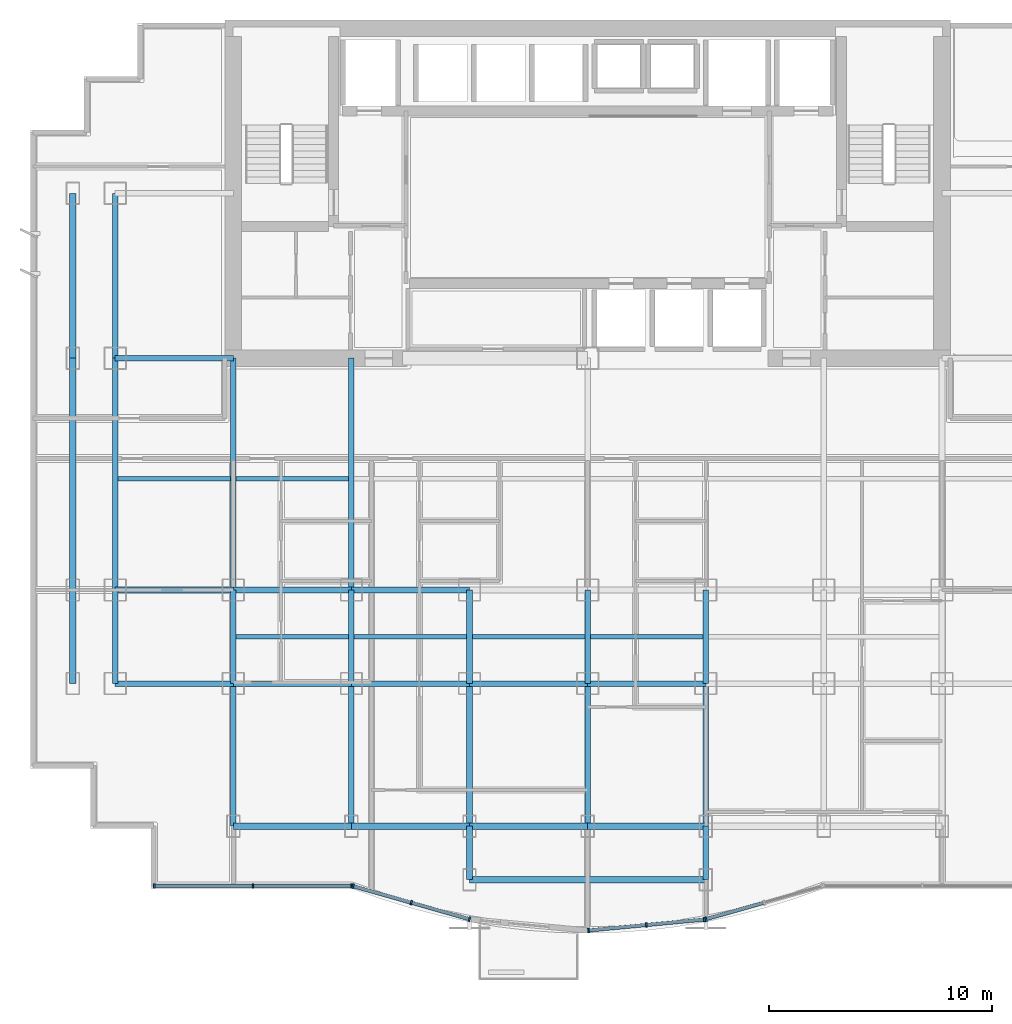
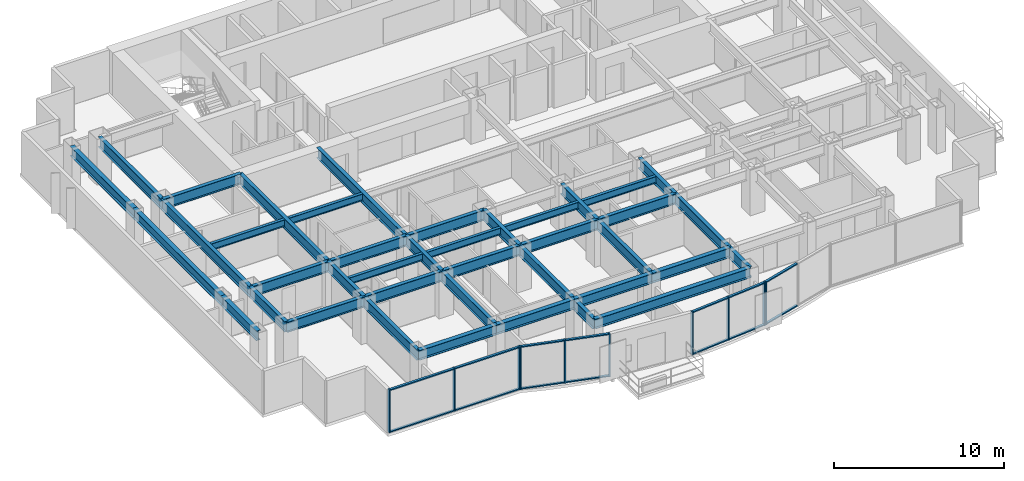
# One storey, part 2 of 10: 40 beams, 24 members, 4 elements without a shape of their own.
"""IFC4 building model written with IfcOpenShell, lengths in metres."""

from ifc_helpers import new_model, si_unit, direction, frame, origin, origin_2d, place, context, subcontext, project, spatial, rectangle, i_section, extrude, source, transform, mapped, material, layer, layer_set, material_profile, profile_set, type_object, element, aggregate, save


model = new_model("IFC4")

# Units and contexts
model_context = context("Model", 3, precision=1e-05, world=origin(), true_north=direction((0.0, 1.0)))
body_context = subcontext(model_context, "Body", "Model", "MODEL_VIEW")
ifc_project = project(units=[si_unit("LENGTHUNIT", "METRE"), si_unit("AREAUNIT", "SQUARE_METRE"), si_unit("VOLUMEUNIT", "CUBIC_METRE"), si_unit("PLANEANGLEUNIT", "RADIAN"), si_unit("MASSUNIT", "GRAM", prefix="KILO")], contexts=[model_context])

# Site, building, storey
site_placement = place(None, origin())
site = spatial("IfcSite", under=ifc_project, at=site_placement, CompositionType="ELEMENT")
building_placement = place(site_placement, origin())
building = spatial("IfcBuilding", under=site, at=building_placement, Name="Qianlan Lanfeng Residences", CompositionType="ELEMENT")
storey_placement = place(building_placement, frame((0.0, 0.0, 88.300048828125)))
storey = spatial("IfcBuildingStorey", under=building, at=storey_placement, Name="L23", CompositionType="ELEMENT", Elevation=88.300048828125)

# Beams
ifc_material_1 = material(Name="Steel SN490B", Category="steel")
ifc_material_profile_1 = material_profile(ifc_material_1, i_section(OverallWidth=0.25, OverallDepth=0.75, WebThickness=0.013916015625, FlangeThickness=0.02490234375, at=origin_2d()), Name="H 750x250x14x25")
ifc_profile_set_1 = profile_set([ifc_material_profile_1], Name="Steel SN490B")
beam_type_1 = type_object("IfcBeamType", Name="G-850", PredefinedType="BEAM", material=ifc_profile_set_1)
beam_1_placement = place(storey_placement, frame((5.300048828125, 10.60009765625, 2.71484375), z_axis=(1.0, 0.0, 0.0), x_axis=(0.0, 1.0, 0.0)))
element("IfcBeam", 1, at=beam_1_placement, inside=storey, type_object=beam_type_1, Name="Structural beam G-850", PredefinedType="BEAM", context=body_context, shape_type="SweptSolid", body=[
    extrude(i_section(OverallWidth=0.25, OverallDepth=0.75, WebThickness=0.013916015625, FlangeThickness=0.02490234375, at=origin_2d()), origin(), (0.0, 0.0, 1.0), 5.300048828125),
])
beam_2_placement = place(storey_placement, frame((10.60009765625, 10.60009765625, 2.71484375), z_axis=(1.0, 0.0, 0.0), x_axis=(0.0, 1.0, 0.0)))
element("IfcBeam", 2, at=beam_2_placement, inside=storey, type_object=beam_type_1, Name="Structural beam G-850", PredefinedType="BEAM", context=body_context, shape_type="SweptSolid", body=[
    extrude(i_section(OverallWidth=0.25, OverallDepth=0.75, WebThickness=0.013916015625, FlangeThickness=0.02490234375, at=origin_2d()), origin(), (0.0, 0.0, 1.0), 5.2998046875),
])
for number, where, z_axis, x_axis, name in (
    (3, (15.89990234375, 10.60009765625, 2.71484375), (1.0, 0.0, 0.0), (0.0, 1.0, 0.0), "Structural beam G-850"),
    (4, (21.199951171875, 10.60009765625, 2.71484375), (1.0, 0.0, 0.0), (0.0, 1.0, 0.0), "Structural beam G-850"),
    (5, (26.5, 10.60009765625, 2.71484375), (1.0, 0.0, 0.0), (0.0, 1.0, 0.0), "Structural beam G-850"),
    (6, (5.300048828125, 14.800048828125, 2.71484375), (1.0, 0.0, 0.0), (0.0, 1.0, 0.0), "Structural beam G-850"),
):
    element("IfcBeam", number, at=place(storey_placement, frame(where, z_axis=z_axis, x_axis=x_axis)), inside=storey, type_object=beam_type_1, Name=name, PredefinedType="BEAM", context=body_context, shape_type="SweptSolid", body=[
        extrude(i_section(OverallWidth=0.25, OverallDepth=0.75, WebThickness=0.013916015625, FlangeThickness=0.02490234375, at=origin_2d()), origin(), (0.0, 0.0, 1.0), 5.300048828125),
    ])
beam_3_placement = place(storey_placement, frame((10.60009765625, 14.800048828125, 2.71484375), z_axis=(1.0, 0.0, 0.0), x_axis=(0.0, 1.0, 0.0)))
element("IfcBeam", 7, at=beam_3_placement, inside=storey, type_object=beam_type_1, Name="Structural beam G-850", PredefinedType="BEAM", context=body_context, shape_type="SweptSolid", body=[
    extrude(i_section(OverallWidth=0.25, OverallDepth=0.75, WebThickness=0.013916015625, FlangeThickness=0.02490234375, at=origin_2d()), origin(), (0.0, 0.0, 1.0), 5.2998046875),
])
for number, where, z_axis, x_axis, name in (
    (8, (15.89990234375, 14.800048828125, 2.71484375), (1.0, 0.0, 0.0), (0.0, 1.0, 0.0), "Structural beam G-850"),
    (9, (5.300048828125, 25.199951171875, 2.71484375), (1.0, 0.0, 0.0), (0.0, 1.0, 0.0), "Structural beam G-850"),
):
    element("IfcBeam", number, at=place(storey_placement, frame(where, z_axis=z_axis, x_axis=x_axis)), inside=storey, type_object=beam_type_1, Name=name, PredefinedType="BEAM", context=body_context, shape_type="SweptSolid", body=[
        extrude(i_section(OverallWidth=0.25, OverallDepth=0.75, WebThickness=0.013916015625, FlangeThickness=0.02490234375, at=origin_2d()), origin(), (0.0, 0.0, 1.0), 5.300048828125),
    ])
beam_4_placement = place(storey_placement, frame((5.300048828125, 10.60009765625, 2.71484375), z_axis=(0.0, 1.0, 0.0), x_axis=(-1.0, 0.0, 0.0)))
element("IfcBeam", 10, at=beam_4_placement, inside=storey, type_object=beam_type_1, Name="Structural beam G-850", PredefinedType="BEAM", context=body_context, shape_type="SweptSolid", body=[
    extrude(i_section(OverallWidth=0.25, OverallDepth=0.75, WebThickness=0.013916015625, FlangeThickness=0.02490234375, at=origin_2d()), origin(), (0.0, 0.0, 1.0), 4.199951171875),
])
beam_5_placement = place(storey_placement, frame((5.300048828125, 14.800048828125, 2.71484375), z_axis=(0.0, 1.0, 0.0), x_axis=(-1.0, 0.0, 0.0)))
element("IfcBeam", 11, at=beam_5_placement, inside=storey, type_object=beam_type_1, Name="Structural beam G-850", PredefinedType="BEAM", context=body_context, shape_type="SweptSolid", body=[
    extrude(i_section(OverallWidth=0.25, OverallDepth=0.75, WebThickness=0.013916015625, FlangeThickness=0.02490234375, at=origin_2d()), origin(), (0.0, 0.0, 1.0), 10.39990234375),
])
beam_6_placement = place(storey_placement, frame((5.300048828125, 25.199951171875, 2.71484375), z_axis=(0.0, 1.0, 0.0), x_axis=(-1.0, 0.0, 0.0)))
element("IfcBeam", 12, at=beam_6_placement, inside=storey, type_object=beam_type_1, Name="Structural beam G-850", PredefinedType="BEAM", context=body_context, shape_type="SweptSolid", body=[
    extrude(i_section(OverallWidth=0.25, OverallDepth=0.75, WebThickness=0.013916015625, FlangeThickness=0.02490234375, at=origin_2d()), origin(), (0.0, 0.0, 1.0), 7.400146484375),
])
beam_7_placement = place(storey_placement, frame((10.60009765625, 4.199951171875, 2.71484375), z_axis=(0.0, 1.0, 0.0), x_axis=(-1.0, 0.0, 0.0)))
element("IfcBeam", 13, at=beam_7_placement, inside=storey, type_object=beam_type_1, Name="Structural beam G-850", PredefinedType="BEAM", context=body_context, shape_type="SweptSolid", body=[
    extrude(i_section(OverallWidth=0.25, OverallDepth=0.75, WebThickness=0.013916015625, FlangeThickness=0.02490234375, at=origin_2d()), origin(), (0.0, 0.0, 1.0), 6.400146484375),
])
beam_8_placement = place(storey_placement, frame((10.60009765625, 10.60009765625, 2.71484375), z_axis=(0.0, 1.0, 0.0), x_axis=(-1.0, 0.0, 0.0)))
element("IfcBeam", 14, at=beam_8_placement, inside=storey, type_object=beam_type_1, Name="Structural beam G-850", PredefinedType="BEAM", context=body_context, shape_type="SweptSolid", body=[
    extrude(i_section(OverallWidth=0.25, OverallDepth=0.75, WebThickness=0.013916015625, FlangeThickness=0.02490234375, at=origin_2d()), origin(), (0.0, 0.0, 1.0), 4.199951171875),
])
beam_9_placement = place(storey_placement, frame((10.60009765625, 14.800048828125, 2.71484375), z_axis=(0.0, 1.0, 0.0), x_axis=(-1.0, 0.0, 0.0)))
element("IfcBeam", 15, at=beam_9_placement, inside=storey, type_object=beam_type_1, Name="Structural beam G-850", PredefinedType="BEAM", context=body_context, shape_type="SweptSolid", body=[
    extrude(i_section(OverallWidth=0.25, OverallDepth=0.75, WebThickness=0.013916015625, FlangeThickness=0.02490234375, at=origin_2d()), origin(), (0.0, 0.0, 1.0), 10.39990234375),
])
beam_10_placement = place(storey_placement, frame((15.89990234375, 4.199951171875, 2.71484375), z_axis=(0.0, 1.0, 0.0), x_axis=(-1.0, 0.0, 0.0)))
element("IfcBeam", 16, at=beam_10_placement, inside=storey, type_object=beam_type_1, Name="Structural beam G-850", PredefinedType="BEAM", context=body_context, shape_type="SweptSolid", body=[
    extrude(i_section(OverallWidth=0.25, OverallDepth=0.75, WebThickness=0.013916015625, FlangeThickness=0.02490234375, at=origin_2d()), origin(), (0.0, 0.0, 1.0), 6.400146484375),
])
beam_11_placement = place(storey_placement, frame((15.89990234375, 10.60009765625, 2.71484375), z_axis=(0.0, 1.0, 0.0), x_axis=(-1.0, 0.0, 0.0)))
element("IfcBeam", 17, at=beam_11_placement, inside=storey, type_object=beam_type_1, Name="Structural beam G-850", PredefinedType="BEAM", context=body_context, shape_type="SweptSolid", body=[
    extrude(i_section(OverallWidth=0.25, OverallDepth=0.75, WebThickness=0.013916015625, FlangeThickness=0.02490234375, at=origin_2d()), origin(), (0.0, 0.0, 1.0), 4.199951171875),
])
beam_12_placement = place(storey_placement, frame((15.89990234375, 14.800048828125, 2.71484375), z_axis=(0.0, 1.0, 0.0), x_axis=(-1.0, 0.0, 0.0)))
element("IfcBeam", 18, at=beam_12_placement, inside=storey, type_object=beam_type_1, Name="Structural beam G-850", PredefinedType="BEAM", context=body_context, shape_type="SweptSolid", body=[
    extrude(i_section(OverallWidth=0.25, OverallDepth=0.75, WebThickness=0.013916015625, FlangeThickness=0.02490234375, at=origin_2d()), origin(), (0.0, 0.0, 1.0), 10.39990234375),
])
beam_13_placement = place(storey_placement, frame((21.199951171875, 1.800048828125, 2.71484375), z_axis=(0.0, 1.0, 0.0), x_axis=(-1.0, 0.0, 0.0)))
element("IfcBeam", 19, at=beam_13_placement, inside=storey, type_object=beam_type_1, Name="Structural beam G-850", PredefinedType="BEAM", context=body_context, shape_type="SweptSolid", body=[
    extrude(i_section(OverallWidth=0.25, OverallDepth=0.75, WebThickness=0.013916015625, FlangeThickness=0.02490234375, at=origin_2d()), origin(), (0.0, 0.0, 1.0), 2.39990234375),
])
beam_14_placement = place(storey_placement, frame((21.199951171875, 4.199951171875, 2.71484375), z_axis=(0.0, 1.0, 0.0), x_axis=(-1.0, 0.0, 0.0)))
element("IfcBeam", 20, at=beam_14_placement, inside=storey, type_object=beam_type_1, Name="Structural beam G-850", PredefinedType="BEAM", context=body_context, shape_type="SweptSolid", body=[
    extrude(i_section(OverallWidth=0.25, OverallDepth=0.75, WebThickness=0.013916015625, FlangeThickness=0.02490234375, at=origin_2d()), origin(), (0.0, 0.0, 1.0), 6.400146484375),
])
beam_15_placement = place(storey_placement, frame((21.199951171875, 10.60009765625, 2.71484375), z_axis=(0.0, 1.0, 0.0), x_axis=(-1.0, 0.0, 0.0)))
element("IfcBeam", 21, at=beam_15_placement, inside=storey, type_object=beam_type_1, Name="Structural beam G-850", PredefinedType="BEAM", context=body_context, shape_type="SweptSolid", body=[
    extrude(i_section(OverallWidth=0.25, OverallDepth=0.75, WebThickness=0.013916015625, FlangeThickness=0.02490234375, at=origin_2d()), origin(), (0.0, 0.0, 1.0), 4.199951171875),
])
beam_16_placement = place(storey_placement, frame((26.5, 4.199951171875, 2.71484375), z_axis=(0.0, 1.0, 0.0), x_axis=(-1.0, 0.0, 0.0)))
element("IfcBeam", 22, at=beam_16_placement, inside=storey, type_object=beam_type_1, Name="Structural beam G-850", PredefinedType="BEAM", context=body_context, shape_type="SweptSolid", body=[
    extrude(i_section(OverallWidth=0.25, OverallDepth=0.75, WebThickness=0.013916015625, FlangeThickness=0.02490234375, at=origin_2d()), origin(), (0.0, 0.0, 1.0), 6.400146484375),
])
beam_17_placement = place(storey_placement, frame((26.5, 10.60009765625, 2.71484375), z_axis=(0.0, 1.0, 0.0), x_axis=(-1.0, 0.0, 0.0)))
element("IfcBeam", 23, at=beam_17_placement, inside=storey, type_object=beam_type_1, Name="Structural beam G-850", PredefinedType="BEAM", context=body_context, shape_type="SweptSolid", body=[
    extrude(i_section(OverallWidth=0.25, OverallDepth=0.75, WebThickness=0.013916015625, FlangeThickness=0.02490234375, at=origin_2d()), origin(), (0.0, 0.0, 1.0), 4.199951171875),
])
beam_18_placement = place(storey_placement, frame((31.800048828125, 1.800048828125, 2.71484375), z_axis=(0.0, 1.0, 0.0), x_axis=(-1.0, 0.0, 0.0)))
element("IfcBeam", 24, at=beam_18_placement, inside=storey, type_object=beam_type_1, Name="Structural beam G-850", PredefinedType="BEAM", context=body_context, shape_type="SweptSolid", body=[
    extrude(i_section(OverallWidth=0.25, OverallDepth=0.75, WebThickness=0.013916015625, FlangeThickness=0.02490234375, at=origin_2d()), origin(), (0.0, 0.0, 1.0), 2.39990234375),
])
beam_19_placement = place(storey_placement, frame((31.800048828125, 4.199951171875, 2.71484375), z_axis=(0.0, 1.0, 0.0), x_axis=(-1.0, 0.0, 0.0)))
element("IfcBeam", 25, at=beam_19_placement, inside=storey, type_object=beam_type_1, Name="Structural beam G-850", PredefinedType="BEAM", context=body_context, shape_type="SweptSolid", body=[
    extrude(i_section(OverallWidth=0.25, OverallDepth=0.75, WebThickness=0.013916015625, FlangeThickness=0.02490234375, at=origin_2d()), origin(), (0.0, 0.0, 1.0), 6.400146484375),
])
beam_20_placement = place(storey_placement, frame((31.800048828125, 10.60009765625, 2.71484375), z_axis=(0.0, 1.0, 0.0), x_axis=(-1.0, 0.0, 0.0)))
element("IfcBeam", 26, at=beam_20_placement, inside=storey, type_object=beam_type_1, Name="Structural beam G-850", PredefinedType="BEAM", context=body_context, shape_type="SweptSolid", body=[
    extrude(i_section(OverallWidth=0.25, OverallDepth=0.75, WebThickness=0.013916015625, FlangeThickness=0.02490234375, at=origin_2d()), origin(), (0.0, 0.0, 1.0), 4.199951171875),
])
ifc_material_profile_2 = material_profile(ifc_material_1, i_section(OverallWidth=0.199951171875, OverallDepth=0.5, WebThickness=0.010009765625, FlangeThickness=0.01611328125, at=origin_2d()), Name="H 500x200x10x16")
ifc_profile_set_2 = profile_set([ifc_material_profile_2], Name="Steel SN490B")
beam_type_2 = type_object("IfcBeamType", Name="J-500", PredefinedType="JOIST", material=ifc_profile_set_2)
beam_21_placement = place(storey_placement, frame((10.72509765625, 12.699951171875, 2.83984375), z_axis=(1.0, 0.0, 0.0), x_axis=(0.0, 1.0, 0.0)))
element("IfcBeam", 27, at=beam_21_placement, inside=storey, type_object=beam_type_2, Name="Structural beam J-500", PredefinedType="JOIST", context=body_context, shape_type="SweptSolid", body=[
    extrude(i_section(OverallWidth=0.199951171875, OverallDepth=0.5, WebThickness=0.010009765625, FlangeThickness=0.01611328125, at=origin_2d()), origin(), (0.0, 0.0, 1.0), 5.0498046875),
])
for number, where, z_axis, x_axis, name in (
    (28, (16.02490234375, 12.699951171875, 2.83984375), (1.0, 0.0, 0.0), (0.0, 1.0, 0.0), "Structural beam J-500"),
    (29, (21.324951171875, 12.699951171875, 2.83984375), (1.0, 0.0, 0.0), (0.0, 1.0, 0.0), "Structural beam J-500"),
    (30, (26.625, 12.699951171875, 2.83984375), (1.0, 0.0, 0.0), (0.0, 1.0, 0.0), "Structural beam J-500"),
    (31, (5.425048828125, 19.800048828125, 2.83984375), (1.0, 0.0, 0.0), (0.0, 1.0, 0.0), "Structural beam J-500"),
):
    element("IfcBeam", number, at=place(storey_placement, frame(where, z_axis=z_axis, x_axis=x_axis)), inside=storey, type_object=beam_type_2, Name=name, PredefinedType="JOIST", context=body_context, shape_type="SweptSolid", body=[
        extrude(i_section(OverallWidth=0.199951171875, OverallDepth=0.5, WebThickness=0.010009765625, FlangeThickness=0.01611328125, at=origin_2d()), origin(), (0.0, 0.0, 1.0), 5.050048828125),
    ])
beam_22_placement = place(storey_placement, frame((10.72509765625, 19.800048828125, 2.83984375), z_axis=(1.0, 0.0, 0.0), x_axis=(0.0, 1.0, 0.0)))
element("IfcBeam", 32, at=beam_22_placement, inside=storey, type_object=beam_type_2, Name="Structural beam J-500", PredefinedType="JOIST", context=body_context, shape_type="SweptSolid", body=[
    extrude(i_section(OverallWidth=0.199951171875, OverallDepth=0.5, WebThickness=0.010009765625, FlangeThickness=0.01611328125, at=origin_2d()), origin(), (0.0, 0.0, 1.0), 5.0498046875),
])
ifc_material_profile_3 = material_profile(ifc_material_1, i_section(OverallWidth=0.300048828125, OverallDepth=0.699951171875, WebThickness=0.012939453125, FlangeThickness=0.02392578125, at=origin_2d()), Name="H 700x300x13x24")
ifc_profile_set_3 = profile_set([ifc_material_profile_3], Name="Steel SN490B")
beam_type_3 = type_object("IfcBeamType", Name="SG-750", PredefinedType="SPANDREL", material=ifc_profile_set_3)
beam_23_placement = place(storey_placement, frame((21.199951171875, 1.800048828125, 2.739990234375), z_axis=(1.0, 0.0, 0.0), x_axis=(0.0, 1.0, 0.0)))
element("IfcBeam", 33, at=beam_23_placement, inside=storey, type_object=beam_type_3, Name="Structural beam SG-750", PredefinedType="SPANDREL", context=body_context, shape_type="SweptSolid", body=[
    extrude(i_section(OverallWidth=0.300048828125, OverallDepth=0.699951171875, WebThickness=0.012939453125, FlangeThickness=0.02392578125, at=origin_2d()), origin(), (0.0, 0.0, 1.0), 10.60009765625),
])
beam_24_placement = place(storey_placement, frame((10.60009765625, 4.199951171875, 2.739990234375), z_axis=(1.0, 0.0, 0.0), x_axis=(0.0, 1.0, 0.0)))
element("IfcBeam", 34, at=beam_24_placement, inside=storey, type_object=beam_type_3, Name="Structural beam SG-750", PredefinedType="SPANDREL", context=body_context, shape_type="SweptSolid", body=[
    extrude(i_section(OverallWidth=0.300048828125, OverallDepth=0.699951171875, WebThickness=0.012939453125, FlangeThickness=0.02392578125, at=origin_2d()), origin(), (0.0, 0.0, 1.0), 5.2998046875),
])
for number, where, z_axis, x_axis, name in (
    (35, (15.89990234375, 4.199951171875, 2.739990234375), (1.0, 0.0, 0.0), (0.0, 1.0, 0.0), "Structural beam SG-750"),
    (36, (21.199951171875, 4.199951171875, 2.739990234375), (1.0, 0.0, 0.0), (0.0, 1.0, 0.0), "Structural beam SG-750"),
    (37, (26.5, 4.199951171875, 2.739990234375), (1.0, 0.0, 0.0), (0.0, 1.0, 0.0), "Structural beam SG-750"),
):
    element("IfcBeam", number, at=place(storey_placement, frame(where, z_axis=z_axis, x_axis=x_axis)), inside=storey, type_object=beam_type_3, Name=name, PredefinedType="SPANDREL", context=body_context, shape_type="SweptSolid", body=[
        extrude(i_section(OverallWidth=0.300048828125, OverallDepth=0.699951171875, WebThickness=0.012939453125, FlangeThickness=0.02392578125, at=origin_2d()), origin(), (0.0, 0.0, 1.0), 5.300048828125),
    ])
beam_25_placement = place(storey_placement, frame((3.39990234375, 10.60009765625, 2.739990234375), z_axis=(0.0, 1.0, 0.0), x_axis=(-1.0, 0.0, 0.0)))
element("IfcBeam", 38, at=beam_25_placement, inside=storey, type_object=beam_type_3, Name="Structural beam SG-750", PredefinedType="SPANDREL", context=body_context, shape_type="SweptSolid", body=[
    extrude(i_section(OverallWidth=0.300048828125, OverallDepth=0.699951171875, WebThickness=0.012939453125, FlangeThickness=0.02392578125, at=origin_2d()), origin(), (0.0, 0.0, 1.0), 4.199951171875),
])
beam_26_placement = place(storey_placement, frame((3.39990234375, 14.800048828125, 2.739990234375), z_axis=(0.0, 1.0, 0.0), x_axis=(-1.0, 0.0, 0.0)))
element("IfcBeam", 39, at=beam_26_placement, inside=storey, type_object=beam_type_3, Name="Structural beam SG-750", PredefinedType="SPANDREL", context=body_context, shape_type="SweptSolid", body=[
    extrude(i_section(OverallWidth=0.300048828125, OverallDepth=0.699951171875, WebThickness=0.012939453125, FlangeThickness=0.02392578125, at=origin_2d()), origin(), (0.0, 0.0, 1.0), 10.39990234375),
])
beam_27_placement = place(storey_placement, frame((3.39990234375, 25.199951171875, 2.739990234375), z_axis=(0.0, 1.0, 0.0), x_axis=(-1.0, 0.0, 0.0)))
element("IfcBeam", 40, at=beam_27_placement, inside=storey, type_object=beam_type_3, Name="Structural beam SG-750", PredefinedType="SPANDREL", context=body_context, shape_type="SweptSolid", body=[
    extrude(i_section(OverallWidth=0.300048828125, OverallDepth=0.699951171875, WebThickness=0.012939453125, FlangeThickness=0.02392578125, at=origin_2d()), origin(), (0.0, 0.0, 1.0), 7.400146484375),
])

# Curtain wall, members
ifc_material_2 = material(Name="Anodised Bronze Aluminium 6063-T6", Category="aluminium")
ifc_layer = layer(ifc_material_2, 0.219970703125)
ifc_layer_set = layer_set([ifc_layer], Name="Anodised Bronze Aluminium 6063-T6")
curtain_wall_type = type_object("IfcCurtainWallType", Name="CW-03", PredefinedType="NOTDEFINED", material=ifc_layer_set)
curtain_wall_1_placement = place(storey_placement, origin())
curtain_wall_1 = element("IfcCurtainWall", 41, at=curtain_wall_1_placement, inside=storey, type_object=curtain_wall_type, Name="L23 Unitised Curtain Wall CWR-L23-01 (CW-03)", PredefinedType="NOTDEFINED")
ifc_material_profile_4 = material_profile(ifc_material_2, rectangle(XDim=0.080078125, YDim=0.159912109375, at=origin_2d()), Name="ALU TRANSOM 80x160")
ifc_profile_set_4 = profile_set([ifc_material_profile_4], Name="Anodised Bronze Aluminium 6063-T6")
member_type_1 = type_object("IfcMemberType", Name="CWT-180", PredefinedType="USERDEFINED", material=ifc_profile_set_4)
shared_shape_1 = source(origin(), body_context, "Body", "SweptSolid", [
    extrude(rectangle(XDim=0.080078125, YDim=0.159912109375, at=origin_2d()), origin(), (0.0, 0.0, 1.0), 4.34033203125),
])
member_1_placement = place(storey_placement, frame((7.10009765625, 1.52001953125, 0.0400390625), z_axis=(1.0, 0.0, 0.0), x_axis=(0.0, 0.0, 1.0)))
member_1 = element("IfcMember", 42, at=member_1_placement, type_object=member_type_1, Name="CWR-L23-01 Transom 1-BOT", ObjectType="TRANSOM", PredefinedType="USERDEFINED", context=body_context, shape_type="MappedRepresentation", body=[
    mapped(shared_shape_1, transform((0.0, 0.0, 0.0), scale=1.0)),
])
member_2_placement = place(storey_placement, frame((7.10009765625, 1.52001953125, 3.050048828125), z_axis=(1.0, 0.0, 0.0), x_axis=(0.0, 0.0, 1.0)))
member_2 = element("IfcMember", 43, at=member_2_placement, type_object=member_type_1, Name="CWR-L23-01 Transom 1-TOP", ObjectType="TRANSOM", PredefinedType="USERDEFINED", context=body_context, shape_type="MappedRepresentation", body=[
    mapped(shared_shape_1, transform((0.0, 0.0, 0.0), scale=1.0)),
])
shared_shape_2 = source(origin(), body_context, "Body", "SweptSolid", [
    extrude(rectangle(XDim=0.080078125, YDim=0.159912109375, at=origin_2d()), origin(), (0.0, 0.0, 1.0), 4.340576171875),
])
member_3_placement = place(storey_placement, frame((11.5205078125, 1.52001953125, 0.0400390625), z_axis=(1.0, 0.0, 0.0), x_axis=(0.0, 0.0, 1.0)))
member_3 = element("IfcMember", 44, at=member_3_placement, type_object=member_type_1, Name="CWR-L23-01 Transom 2-BOT", ObjectType="TRANSOM", PredefinedType="USERDEFINED", context=body_context, shape_type="MappedRepresentation", body=[
    mapped(shared_shape_2, transform((0.0, 0.0, 0.0), scale=1.0)),
])
member_4_placement = place(storey_placement, frame((11.5205078125, 1.52001953125, 3.050048828125), z_axis=(1.0, 0.0, 0.0), x_axis=(0.0, 0.0, 1.0)))
member_4 = element("IfcMember", 45, at=member_4_placement, type_object=member_type_1, Name="CWR-L23-01 Transom 2-TOP", ObjectType="TRANSOM", PredefinedType="USERDEFINED", context=body_context, shape_type="MappedRepresentation", body=[
    mapped(shared_shape_2, transform((0.0, 0.0, 0.0), scale=1.0)),
])

curtain_wall_2_placement = place(storey_placement, origin())
curtain_wall_2 = element("IfcCurtainWall", 46, at=curtain_wall_2_placement, inside=storey, type_object=curtain_wall_type, Name="L23 Unitised Curtain Wall CWR-L23-02 (CW-03)", PredefinedType="NOTDEFINED")
shared_shape_3 = source(origin(), body_context, "Body", "SweptSolid", [
    extrude(rectangle(XDim=0.080078125, YDim=0.159912109375, at=origin_2d()), origin(), (0.0, 0.0, 1.0), 2.630126953125),
])
member_5_placement = place(storey_placement, frame((16.01806640625, 1.498291015625, 0.0400390625), z_axis=(0.961960587005, -0.273188266675, 0.0), x_axis=(0.0, 0.0, 1.0)))
member_5 = element("IfcMember", 47, at=member_5_placement, type_object=member_type_1, Name="CWR-L23-02 Transom 1-BOT", ObjectType="TRANSOM", PredefinedType="USERDEFINED", context=body_context, shape_type="MappedRepresentation", body=[
    mapped(shared_shape_3, transform((0.0, 0.0, 0.0), scale=1.0)),
])
member_6_placement = place(storey_placement, frame((16.01806640625, 1.498291015625, 3.050048828125), z_axis=(0.961960587005, -0.273188266675, 0.0), x_axis=(0.0, 0.0, 1.0)))
member_6 = element("IfcMember", 48, at=member_6_placement, type_object=member_type_1, Name="CWR-L23-02 Transom 1-TOP", ObjectType="TRANSOM", PredefinedType="USERDEFINED", context=body_context, shape_type="MappedRepresentation", body=[
    mapped(shared_shape_3, transform((0.0, 0.0, 0.0), scale=1.0)),
])
member_7_placement = place(storey_placement, frame((18.625, 0.758056640625, 0.0400390625), z_axis=(0.961984978242, -0.273102364758, 0.0), x_axis=(0.0, 0.0, 1.0)))
member_7 = element("IfcMember", 49, at=member_7_placement, type_object=member_type_1, Name="CWR-L23-02 Transom 2-BOT", ObjectType="TRANSOM", PredefinedType="USERDEFINED", context=body_context, shape_type="MappedRepresentation", body=[
    mapped(shared_shape_3, transform((0.0, 0.0, 0.0), scale=1.0)),
])
member_8_placement = place(storey_placement, frame((18.625, 0.758056640625, 3.050048828125), z_axis=(0.961984978242, -0.273102364758, 0.0), x_axis=(0.0, 0.0, 1.0)))
member_8 = element("IfcMember", 50, at=member_8_placement, type_object=member_type_1, Name="CWR-L23-02 Transom 2-TOP", ObjectType="TRANSOM", PredefinedType="USERDEFINED", context=body_context, shape_type="MappedRepresentation", body=[
    mapped(shared_shape_3, transform((0.0, 0.0, 0.0), scale=1.0)),
])

curtain_wall_3_placement = place(storey_placement, origin())
curtain_wall_3 = element("IfcCurtainWall", 51, at=curtain_wall_3_placement, inside=storey, type_object=curtain_wall_type, Name="L23 Unitised Curtain Wall CWR-L23-04 (CW-03)", PredefinedType="NOTDEFINED")
member_9_placement = place(storey_placement, frame((31.844970703125, 0.039794921875, 0.0400390625), z_axis=(0.961984978242, 0.273102364758, 0.0), x_axis=(0.0, 0.0, 1.0)))
member_9 = element("IfcMember", 52, at=member_9_placement, type_object=member_type_1, Name="CWR-L23-04 Transom 1-BOT", ObjectType="TRANSOM", PredefinedType="USERDEFINED", context=body_context, shape_type="MappedRepresentation", body=[
    mapped(shared_shape_3, transform((0.0, 0.0, 0.0), scale=1.0)),
])
member_10_placement = place(storey_placement, frame((31.844970703125, 0.039794921875, 3.050048828125), z_axis=(0.961984978242, 0.273102364758, 0.0), x_axis=(0.0, 0.0, 1.0)))
member_10 = element("IfcMember", 53, at=member_10_placement, type_object=member_type_1, Name="CWR-L23-04 Transom 1-TOP", ObjectType="TRANSOM", PredefinedType="USERDEFINED", context=body_context, shape_type="MappedRepresentation", body=[
    mapped(shared_shape_3, transform((0.0, 0.0, 0.0), scale=1.0)),
])

curtain_wall_4_placement = place(storey_placement, origin())
curtain_wall_4 = element("IfcCurtainWall", 54, at=curtain_wall_4_placement, inside=storey, type_object=curtain_wall_type, Name="L23 Unitised Curtain Wall CWR-L23-03 (CW-03)", PredefinedType="NOTDEFINED")
shared_shape_4 = source(origin(), body_context, "Body", "SweptSolid", [
    extrude(rectangle(XDim=0.080078125, YDim=0.159912109375, at=origin_2d()), origin(), (0.0, 0.0, 1.0), 2.52587890625),
])
member_11_placement = place(storey_placement, frame((29.173828125, -0.227294921875, 0.0400390625), z_axis=(0.995558673677, 0.094143121181, 0.0), x_axis=(0.0, 0.0, 1.0)))
member_11 = element("IfcMember", 55, at=member_11_placement, type_object=member_type_1, Name="CWR-L23-03 Transom 2-BOT", ObjectType="TRANSOM", PredefinedType="USERDEFINED", context=body_context, shape_type="MappedRepresentation", body=[
    mapped(shared_shape_4, transform((0.0, 0.0, 0.0), scale=1.0)),
])
member_12_placement = place(storey_placement, frame((29.173828125, -0.227294921875, 3.050048828125), z_axis=(0.995558673677, 0.094143121181, 0.0), x_axis=(0.0, 0.0, 1.0)))
member_12 = element("IfcMember", 56, at=member_12_placement, type_object=member_type_1, Name="CWR-L23-03 Transom 2-TOP", ObjectType="TRANSOM", PredefinedType="USERDEFINED", context=body_context, shape_type="MappedRepresentation", body=[
    mapped(shared_shape_4, transform((0.0, 0.0, 0.0), scale=1.0)),
])
shared_shape_5 = source(origin(), body_context, "Body", "SweptSolid", [
    extrude(rectangle(XDim=0.080078125, YDim=0.159912109375, at=origin_2d()), origin(), (0.0, 0.0, 1.0), 2.525634765625),
])
member_13_placement = place(storey_placement, frame((26.57958984375, -0.472412109375, 0.0400390625), z_axis=(0.995566873206, 0.094056371262, 0.0), x_axis=(0.0, 0.0, 1.0)))
member_13 = element("IfcMember", 57, at=member_13_placement, type_object=member_type_1, Name="CWR-L23-03 Transom 1-BOT", ObjectType="TRANSOM", PredefinedType="USERDEFINED", context=body_context, shape_type="MappedRepresentation", body=[
    mapped(shared_shape_5, transform((0.0, 0.0, 0.0), scale=1.0)),
])
member_14_placement = place(storey_placement, frame((26.57958984375, -0.472412109375, 3.050048828125), z_axis=(0.995566873206, 0.094056371262, 0.0), x_axis=(0.0, 0.0, 1.0)))
member_14 = element("IfcMember", 58, at=member_14_placement, type_object=member_type_1, Name="CWR-L23-03 Transom 1-TOP", ObjectType="TRANSOM", PredefinedType="USERDEFINED", context=body_context, shape_type="MappedRepresentation", body=[
    mapped(shared_shape_5, transform((0.0, 0.0, 0.0), scale=1.0)),
])

# Member
ifc_material_profile_5 = material_profile(ifc_material_2, rectangle(XDim=0.080078125, YDim=0.2099609375, at=origin_2d()), Name="ALU MULLION 80x210")
ifc_profile_set_5 = profile_set([ifc_material_profile_5], Name="Anodised Bronze Aluminium 6063-T6")
member_type_2 = type_object("IfcMemberType", Name="CWM-220", PredefinedType="MULLION", material=ifc_profile_set_5)
shared_shape_6 = source(origin(), body_context, "Body", "SweptSolid", [
    extrude(rectangle(XDim=0.080078125, YDim=0.2099609375, at=origin_2d()), origin(), (0.0, 0.0, 1.0), 3.08984375),
])
member_15_placement = place(storey_placement, frame((7.06005859375, 1.52001953125, 0.0), z_axis=(0.0, 0.0, 1.0), x_axis=(1.0, 0.0, 0.0)))
member_15 = element("IfcMember", 59, at=member_15_placement, type_object=member_type_2, Name="CWR-L23-01 Mullion 1", PredefinedType="MULLION", context=body_context, shape_type="MappedRepresentation", body=[
    mapped(shared_shape_6, transform((0.0, 0.0, 0.0), scale=1.0)),
])

member_16_placement = place(storey_placement, frame((11.48046875, 1.52001953125, 0.0), z_axis=(0.0, 0.0, 1.0), x_axis=(1.0, 0.0, 0.0)))
member_16 = element("IfcMember", 60, at=member_16_placement, type_object=member_type_2, Name="CWR-L23-01 Mullion 2", PredefinedType="MULLION", context=body_context, shape_type="MappedRepresentation", body=[
    mapped(shared_shape_6, transform((0.0, 0.0, 0.0), scale=1.0)),
])

member_17_placement = place(storey_placement, frame((15.90087890625, 1.52001953125, 0.0), z_axis=(0.0, 0.0, 1.0), x_axis=(1.0, 0.0, 0.0)))
member_17 = element("IfcMember", 61, at=member_17_placement, type_object=member_type_2, Name="CWR-L23-01 Mullion 3", PredefinedType="MULLION", context=body_context, shape_type="MappedRepresentation", body=[
    mapped(shared_shape_6, transform((0.0, 0.0, 0.0), scale=1.0)),
])

aggregate(curtain_wall_1, [member_15, member_16, member_17, member_1, member_2, member_3, member_4])

member_18_placement = place(storey_placement, frame((15.9794921875, 1.509033203125, 0.0), z_axis=(0.0, 0.0, 1.0), x_axis=(0.961989074302, -0.273087936247, 0.0)))
member_18 = element("IfcMember", 62, at=member_18_placement, type_object=member_type_2, Name="CWR-L23-02 Mullion 1", PredefinedType="MULLION", context=body_context, shape_type="MappedRepresentation", body=[
    mapped(shared_shape_6, transform((0.0, 0.0, 0.0), scale=1.0)),
])

member_19_placement = place(storey_placement, frame((18.58642578125, 0.76904296875, 0.0), z_axis=(0.0, 0.0, 1.0), x_axis=(0.961989074302, -0.273087936247, 0.0)))
member_19 = element("IfcMember", 63, at=member_19_placement, type_object=member_type_2, Name="CWR-L23-02 Mullion 2", PredefinedType="MULLION", context=body_context, shape_type="MappedRepresentation", body=[
    mapped(shared_shape_6, transform((0.0, 0.0, 0.0), scale=1.0)),
])

member_20_placement = place(storey_placement, frame((21.193603515625, 0.02880859375, 0.0), z_axis=(0.0, 0.0, 1.0), x_axis=(0.961989074302, -0.273087936247, 0.0)))
member_20 = element("IfcMember", 64, at=member_20_placement, type_object=member_type_2, Name="CWR-L23-02 Mullion 3", PredefinedType="MULLION", context=body_context, shape_type="MappedRepresentation", body=[
    mapped(shared_shape_6, transform((0.0, 0.0, 0.0), scale=1.0)),
])

aggregate(curtain_wall_2, [member_18, member_19, member_20, member_5, member_6, member_7, member_8])

member_21_placement = place(storey_placement, frame((26.539794921875, -0.476318359375, 0.0), z_axis=(0.0, 0.0, 1.0), x_axis=(0.995561471839, 0.094113526067, 0.0)))
member_21 = element("IfcMember", 65, at=member_21_placement, type_object=member_type_2, Name="CWR-L23-03 Mullion 1", PredefinedType="MULLION", context=body_context, shape_type="MappedRepresentation", body=[
    mapped(shared_shape_6, transform((0.0, 0.0, 0.0), scale=1.0)),
])

member_22_placement = place(storey_placement, frame((29.134033203125, -0.23095703125, 0.0), z_axis=(0.0, 0.0, 1.0), x_axis=(0.995561471839, 0.094113526067, 0.0)))
member_22 = element("IfcMember", 66, at=member_22_placement, type_object=member_type_2, Name="CWR-L23-03 Mullion 2", PredefinedType="MULLION", context=body_context, shape_type="MappedRepresentation", body=[
    mapped(shared_shape_6, transform((0.0, 0.0, 0.0), scale=1.0)),
])

member_23_placement = place(storey_placement, frame((31.728271484375, 0.01416015625, 0.0), z_axis=(0.0, 0.0, 1.0), x_axis=(0.995561471839, 0.094113526067, 0.0)))
member_23 = element("IfcMember", 67, at=member_23_placement, type_object=member_type_2, Name="CWR-L23-03 Mullion 3", PredefinedType="MULLION", context=body_context, shape_type="MappedRepresentation", body=[
    mapped(shared_shape_6, transform((0.0, 0.0, 0.0), scale=1.0)),
])

aggregate(curtain_wall_4, [member_21, member_22, member_23, member_13, member_14, member_11, member_12])

member_24_placement = place(storey_placement, frame((31.806396484375, 0.02880859375, 0.0), z_axis=(0.0, 0.0, 1.0), x_axis=(0.961989074302, 0.273087936247, 0.0)))
member_24 = element("IfcMember", 68, at=member_24_placement, type_object=member_type_2, Name="CWR-L23-04 Mullion 1", PredefinedType="MULLION", context=body_context, shape_type="MappedRepresentation", body=[
    mapped(shared_shape_6, transform((0.0, 0.0, 0.0), scale=1.0)),
])

aggregate(curtain_wall_3, [member_24, member_9, member_10])

save(model, "model.ifc")
